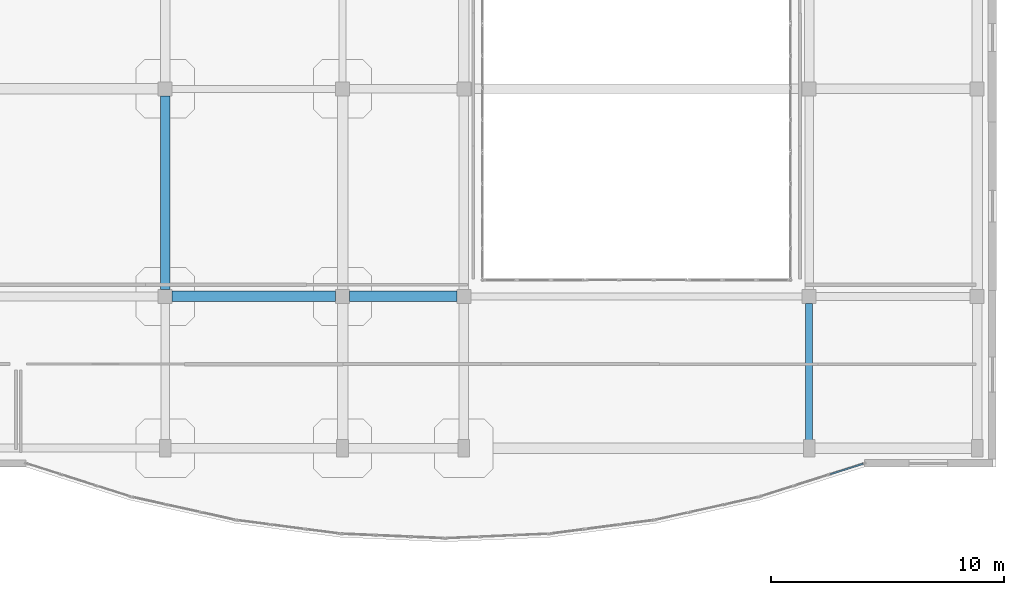
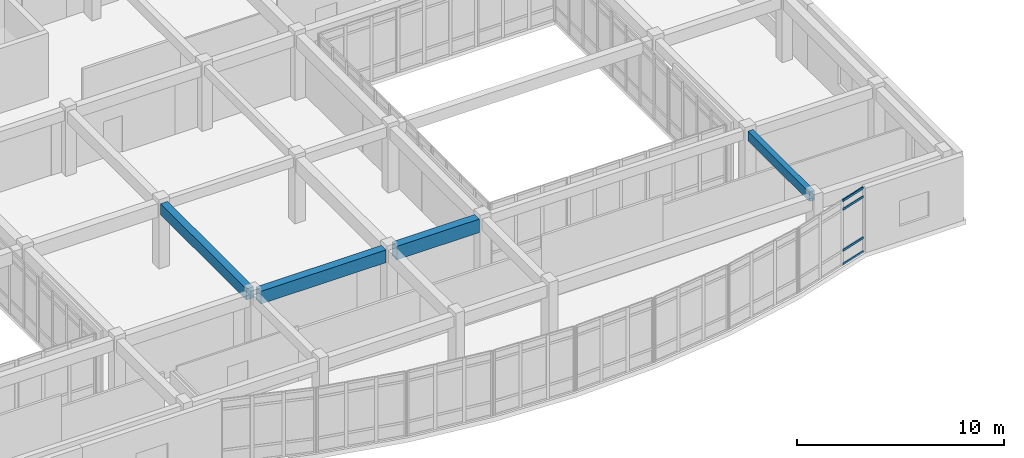
# One storey, part 92 of 146: 4 beams, 4 members, 1 element without a shape of its own.
"""IFC4 building model written with IfcOpenShell, lengths in metres."""

from ifc_helpers import new_model, si_unit, direction, frame, origin, origin_2d, place, context, subcontext, project, spatial, rectangle, hollow_rectangle, extrude, material, layer, layer_set, material_profile, profile_set, type_object, element, aggregate, save


model = new_model("IFC4")

# Units and contexts
model_context = context("Model", 3, precision=1e-05, world=origin(), true_north=direction((0.0, 1.0)))
body_context = subcontext(model_context, "Body", "Model", "MODEL_VIEW")
ifc_project = project(units=[si_unit("LENGTHUNIT", "METRE"), si_unit("AREAUNIT", "SQUARE_METRE"), si_unit("VOLUMEUNIT", "CUBIC_METRE"), si_unit("PLANEANGLEUNIT", "RADIAN"), si_unit("MASSUNIT", "GRAM", prefix="KILO")], contexts=[model_context])

# Site, building, storey
site_placement = place(None, origin())
site = spatial("IfcSite", under=ifc_project, at=site_placement, CompositionType="ELEMENT")
building_placement = place(site_placement, origin())
building = spatial("IfcBuilding", under=site, at=building_placement, Name="Valcora Specialist Clinic", CompositionType="ELEMENT")
storey_placement = place(building_placement, frame((0.0, 0.0, 9.52001953125)))
storey = spatial("IfcBuildingStorey", under=building, at=storey_placement, Name="L02", CompositionType="ELEMENT", Elevation=9.52001953125)

# Beams
ifc_material_1 = material(Name="Concrete C40/50", Category="concrete")
ifc_material_profile_1 = material_profile(ifc_material_1, rectangle(XDim=0.300048828125, YDim=0.550048828125, at=origin_2d()), Name="RC-BM-300X550")
ifc_profile_set_1 = profile_set([ifc_material_profile_1], Name="Concrete C40/50")
beam_type_1 = type_object("IfcBeamType", Name="TY-BM-RC300X550", PredefinedType="BEAM", material=ifc_profile_set_1)
beam_1_placement = place(storey_placement, frame((126.0, 75.050048828125, 3.544921875), z_axis=(0.0, 1.0, 0.0), x_axis=(-1.0, 0.0, 0.0)))
element("IfcBeam", 1, at=beam_1_placement, inside=storey, type_object=beam_type_1, Name="Beam BM-L02-0761", PredefinedType="BEAM", context=body_context, shape_type="SweptSolid", body=[
    extrude(rectangle(XDim=0.300048828125, YDim=0.550048828125, at=origin_2d()), origin(), (0.0, 0.0, 1.0), 5.949951171875),
])
ifc_material_profile_2 = material_profile(ifc_material_1, rectangle(XDim=0.39990234375, YDim=0.64990234375, at=origin_2d()), Name="RC-BM-400X650")
ifc_profile_set_2 = profile_set([ifc_material_profile_2], Name="Concrete C40/50")
beam_type_2 = type_object("IfcBeamType", Name="TY-BM-RC400X650", PredefinedType="BEAM", material=ifc_profile_set_2)
beam_2_placement = place(storey_placement, frame((98.39990234375, 81.60009765625, 3.494873046875), z_axis=(0.0, 1.0, 0.0), x_axis=(-1.0, 0.0, 0.0)))
element("IfcBeam", 2, at=beam_2_placement, inside=storey, type_object=beam_type_2, Name="Beam BM-L02-0751", PredefinedType="BEAM", context=body_context, shape_type="SweptSolid", body=[
    extrude(rectangle(XDim=0.39990234375, YDim=0.64990234375, at=origin_2d()), origin(), (0.0, 0.0, 1.0), 8.2998046875),
])
ifc_material_profile_3 = material_profile(ifc_material_1, rectangle(XDim=0.449951171875, YDim=0.75, at=origin_2d()), Name="RC-BM-450X750")
ifc_profile_set_3 = profile_set([ifc_material_profile_3], Name="Concrete C40/50")
beam_type_3 = type_object("IfcBeamType", Name="TY-BM-RC450X750", PredefinedType="BEAM", material=ifc_profile_set_3)
beam_3_placement = place(storey_placement, frame((98.699951171875, 81.300048828125, 3.445068359375), z_axis=(1.0, 0.0, 0.0), x_axis=(0.0, 1.0, 0.0)))
element("IfcBeam", 3, at=beam_3_placement, inside=storey, type_object=beam_type_3, Name="Beam BM-L02-0707", PredefinedType="BEAM", context=body_context, shape_type="SweptSolid", body=[
    extrude(rectangle(XDim=0.449951171875, YDim=0.75, at=origin_2d()), origin(), (0.0, 0.0, 1.0), 7.0),
])
ifc_material_profile_4 = material_profile(ifc_material_1, rectangle(XDim=0.449951171875, YDim=0.800048828125, at=origin_2d()), Name="RC-BM-450X800")
ifc_profile_set_4 = profile_set([ifc_material_profile_4], Name="Concrete C40/50")
beam_type_4 = type_object("IfcBeamType", Name="TY-BM-RC450X800", PredefinedType="BEAM", material=ifc_profile_set_4)
beam_4_placement = place(storey_placement, frame((106.300048828125, 81.300048828125, 3.419921875), z_axis=(1.0, 0.0, 0.0), x_axis=(0.0, 1.0, 0.0)))
element("IfcBeam", 4, at=beam_4_placement, inside=storey, type_object=beam_type_4, Name="Beam BM-L02-0708", PredefinedType="BEAM", context=body_context, shape_type="SweptSolid", body=[
    extrude(rectangle(XDim=0.449951171875, YDim=0.800048828125, at=origin_2d()), origin(), (0.0, 0.0, 1.0), 4.599853515625),
])

# Curtain wall, members
ifc_material_2 = material(Name="Anodized Bronze Aluminium 6063-T6", Category="aluminium")
ifc_layer = layer(ifc_material_2, 0.175048828125)
ifc_layer_set = layer_set([ifc_layer], Name="Anodized Bronze Aluminium 6063-T6")
curtain_wall_type = type_object("IfcCurtainWallType", Name="TY-CW-ARC40", PredefinedType="NOTDEFINED", material=ifc_layer_set)
curtain_wall_placement = place(storey_placement, origin())
curtain_wall = element("IfcCurtainWall", 5, at=curtain_wall_placement, inside=storey, type_object=curtain_wall_type, Name="Curtain wall CW-L02-085", PredefinedType="NOTDEFINED")
ifc_material_profile_5 = material_profile(ifc_material_2, hollow_rectangle(XDim=0.06494140625, YDim=0.1298828125, WallThickness=0.00390625, at=origin_2d()), Name="AL-TRN-65X130")
ifc_profile_set_5 = profile_set([ifc_material_profile_5], Name="Anodized Bronze Aluminium 6063-T6")
member_type = type_object("IfcMemberType", Name="TY-CWT-65X130", PredefinedType="USERDEFINED", material=ifc_profile_set_5)
member_1_placement = place(storey_placement, frame((128.314697265625, 74.13037109375, 0.032470703125), z_axis=(-0.952910635624, -0.303251249816, 0.0), x_axis=(0.303251249816, -0.952910635624, 0.0)))
member_1 = element("IfcMember", 6, at=member_1_placement, type_object=member_type, Name="CW-ARC-40 transom 1.1", ObjectType="TRANSOM", PredefinedType="USERDEFINED", context=body_context, shape_type="SweptSolid", body=[
    extrude(hollow_rectangle(XDim=0.06494140625, YDim=0.1298828125, WallThickness=0.00390625, at=origin_2d()), origin(), (0.0, 0.0, 1.0), 1.482177734375),
])
member_2_placement = place(storey_placement, frame((128.314697265625, 74.13037109375, 0.85009765625), z_axis=(-0.952910635624, -0.303251249816, 0.0), x_axis=(0.303251249816, -0.952910635624, 0.0)))
member_2 = element("IfcMember", 7, at=member_2_placement, type_object=member_type, Name="CW-ARC-40 transom 1.2", ObjectType="TRANSOM", PredefinedType="USERDEFINED", context=body_context, shape_type="SweptSolid", body=[
    extrude(hollow_rectangle(XDim=0.06494140625, YDim=0.1298828125, WallThickness=0.00390625, at=origin_2d()), origin(), (0.0, 0.0, 1.0), 1.482177734375),
])
member_3_placement = place(storey_placement, frame((128.314697265625, 74.13037109375, 3.27001953125), z_axis=(-0.952910635624, -0.303251249816, 0.0), x_axis=(0.303251249816, -0.952910635624, 0.0)))
member_3 = element("IfcMember", 8, at=member_3_placement, type_object=member_type, Name="CW-ARC-40 transom 1.3", ObjectType="TRANSOM", PredefinedType="USERDEFINED", context=body_context, shape_type="SweptSolid", body=[
    extrude(hollow_rectangle(XDim=0.06494140625, YDim=0.1298828125, WallThickness=0.00390625, at=origin_2d()), origin(), (0.0, 0.0, 1.0), 1.482177734375),
])
member_4_placement = place(storey_placement, frame((128.314697265625, 74.13037109375, 3.78759765625), z_axis=(-0.952910635624, -0.303251249816, 0.0), x_axis=(0.303251249816, -0.952910635624, 0.0)))
member_4 = element("IfcMember", 9, at=member_4_placement, type_object=member_type, Name="CW-ARC-40 transom 1.4", ObjectType="TRANSOM", PredefinedType="USERDEFINED", context=body_context, shape_type="SweptSolid", body=[
    extrude(hollow_rectangle(XDim=0.06494140625, YDim=0.1298828125, WallThickness=0.00390625, at=origin_2d()), origin(), (0.0, 0.0, 1.0), 1.482177734375),
])
aggregate(curtain_wall, [member_1, member_2, member_3, member_4])

save(model, "model.ifc")
